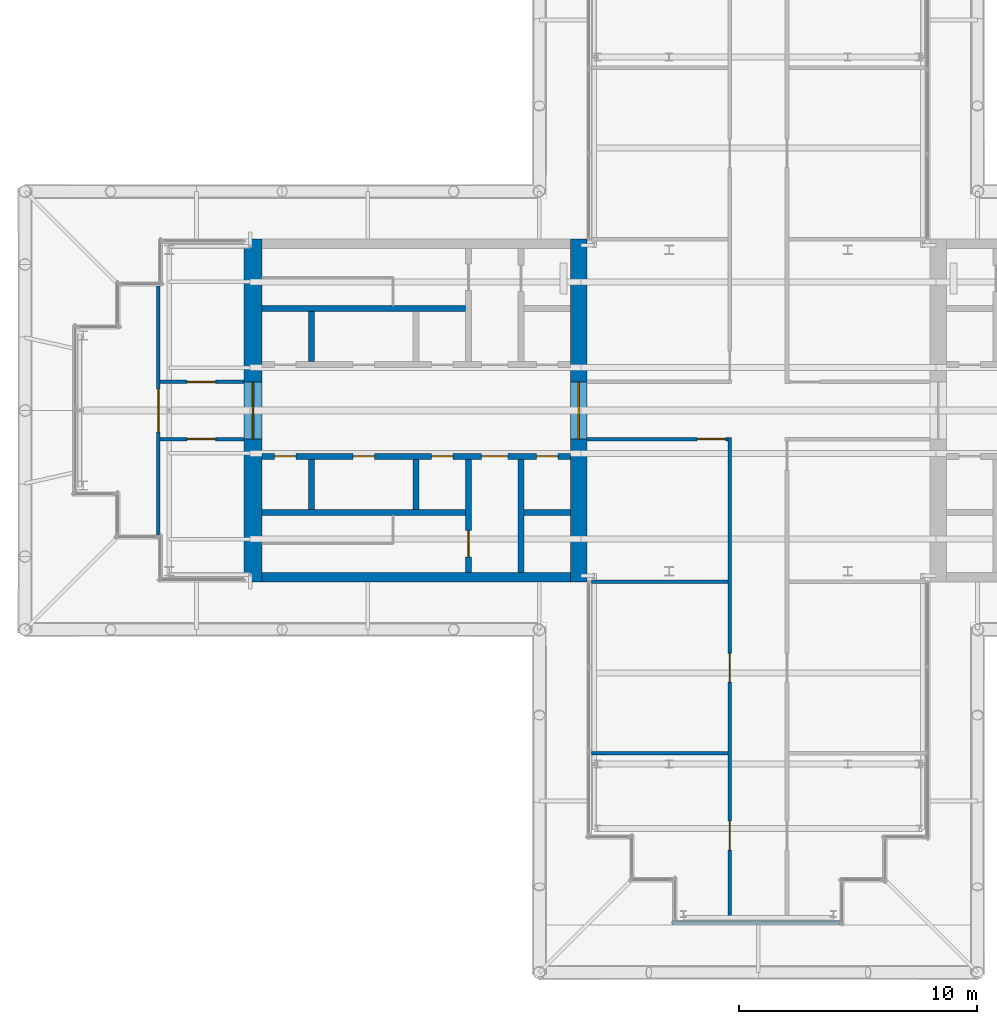
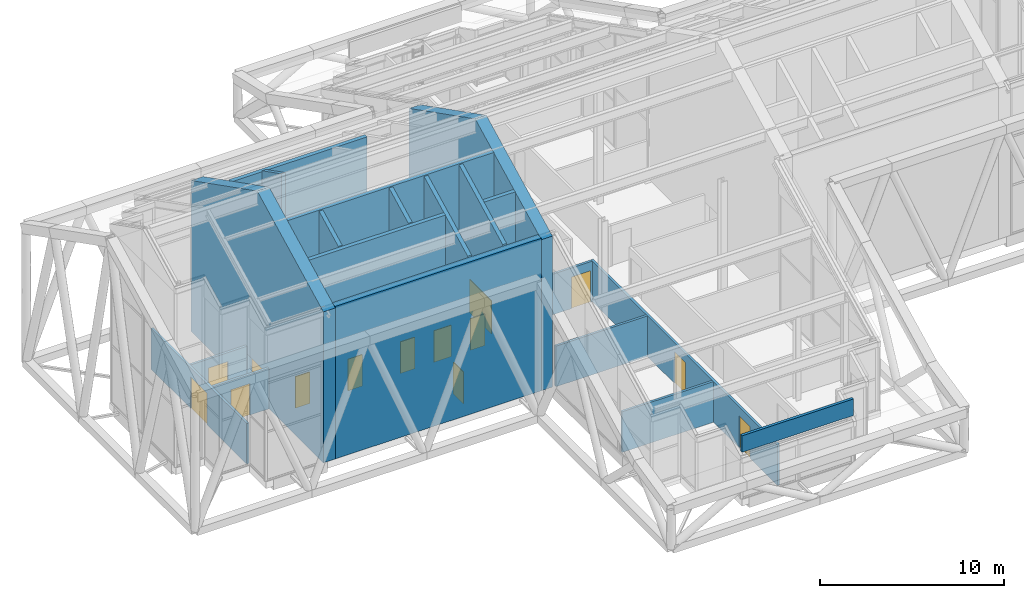
# One storey, part 20 of 25: 20 walls, 14 doors, 14 openings.
"""IFC4 building model written with IfcOpenShell, lengths in metres."""

from ifc_helpers import new_model, si_unit, direction, frame, frame_2d, origin, place, context, subcontext, project, spatial, polyline, rectangle, outline, extrude, material, layer, layer_set, type_object, element, fill, save


model = new_model("IFC4")

# Units and contexts
model_context = context("Model", 3, precision=1e-05, world=origin(), true_north=direction((0.0, 1.0)))
body_context = subcontext(model_context, "Body", "Model", "MODEL_VIEW")
ifc_project = project(units=[si_unit("LENGTHUNIT", "METRE"), si_unit("AREAUNIT", "SQUARE_METRE"), si_unit("VOLUMEUNIT", "CUBIC_METRE"), si_unit("PLANEANGLEUNIT", "RADIAN"), si_unit("MASSUNIT", "GRAM", prefix="KILO")], contexts=[model_context])

# Site, building, storey
site_placement = place(None, origin())
site = spatial("IfcSite", under=ifc_project, at=site_placement, CompositionType="ELEMENT")
building_placement = place(site_placement, origin())
building = spatial("IfcBuilding", under=site, at=building_placement, Name="Fustian Cross Tower", CompositionType="ELEMENT")
storey_placement = place(building_placement, frame((0.0, 0.0, 247.5)))
storey = spatial("IfcBuildingStorey", under=building, at=storey_placement, Name="L77", CompositionType="ELEMENT", Elevation=247.5)

# Wall, opening, door
ifc_material_1 = material(Name="Plasterboard on steel stud", Category="steel")
ifc_layer_1 = layer(ifc_material_1, 0.14990234375)
ifc_layer_set_1 = layer_set([ifc_layer_1], Name="Plasterboard on steel stud")
wall_type_1 = type_object("IfcWallType", Name="COMPARTMENT WALL 150 EI 60", PredefinedType="PARTITIONING", material=ifc_layer_set_1)
wall_1_placement = place(storey_placement, frame((-25.199951171875, -5.219970703125, 0.0), z_axis=(0.0, 0.0, 1.0), x_axis=(0.0, 1.0, 0.0)))
wall_1 = element("IfcWall", 1, at=wall_1_placement, inside=storey, type_object=wall_type_1, Name="Partition 1", PredefinedType="PARTITIONING", context=body_context, shape_type="SweptSolid", body=[
    extrude(rectangle(XDim=10.43994140625, YDim=0.14990234375, at=frame_2d((5.219970703125, 0.0))), origin(), (0.0, 0.0, 1.0), 2.699951171875),
])
opening_1_placement = place(wall_1_placement, frame((4.320068359375, 0.0, 0.0)))
opening_1 = element("IfcOpeningElement", 2, at=opening_1_placement, cuts=wall_1, Name="Opening D36016", PredefinedType="OPENING", context=body_context, shape_type="SweptSolid", body=[
    extrude(rectangle(XDim=1.800048828125, YDim=2.10009765625, at=frame_2d((0.89990234375, 1.050048828125))), frame((0.0, 0.0849609375, 0.0), z_axis=(0.0, -1.0, 0.0), x_axis=(1.0, 0.0, 0.0)), (0.0, 0.0, 1.0), 0.169921875),
])
ifc_material_2 = material(Name="Timber fire door set", Category="wood")
door_type_1 = type_object("IfcDoorType", Name="FIRE DOUBLE DOOR 1800 FD60S", OperationType="DOUBLE_DOOR_DOUBLE_SWING", PredefinedType="DOOR", material=ifc_material_2)
door_1_placement = place(opening_1_placement, frame((1.800048828125, 0.0, 0.0), z_axis=(0.0, 0.0, 1.0), x_axis=(-1.0, 0.0, 0.0)))
door_1 = element("IfcDoor", 3, at=door_1_placement, inside=storey, type_object=door_type_1, Name="Door D36016", OperationType="DOUBLE_DOOR_DOUBLE_SWING", OverallHeight=2.10009765625, OverallWidth=1.800048828125, PredefinedType="DOOR", context=body_context, shape_type="SweptSolid", body=[
    extrude(rectangle(XDim=1.800048828125, YDim=2.10009765625, at=frame_2d((0.89990234375, 1.050048828125))), frame((0.0, 0.02490234375, 0.0), z_axis=(0.0, -1.0, 0.0), x_axis=(1.0, 0.0, 0.0)), (0.0, 0.0, 1.0), 0.050048828125),
])
fill(opening_1, door_1)

wall_2_placement = place(storey_placement, frame((-25.125, -1.199951171875, 0.0), z_axis=(0.0, 0.0, 1.0), x_axis=(1.0, 0.0, 0.0)))
wall_2 = element("IfcWall", 4, at=wall_2_placement, inside=storey, type_object=wall_type_1, Name="Partition 2", PredefinedType="PARTITIONING", context=body_context, shape_type="SweptSolid", body=[
    extrude(rectangle(XDim=3.52490234375, YDim=0.14990234375, at=frame_2d((1.762451171875, 0.0))), origin(), (0.0, 0.0, 1.0), 2.699951171875),
])
opening_2_placement = place(wall_2_placement, frame((1.125, 0.0, 0.0)))
opening_2 = element("IfcOpeningElement", 5, at=opening_2_placement, cuts=wall_2, Name="Opening D36017", PredefinedType="OPENING", context=body_context, shape_type="SweptSolid", body=[
    extrude(rectangle(XDim=1.199951171875, YDim=2.10009765625, at=frame_2d((0.60009765625, 1.050048828125))), frame((0.0, 0.0849609375, 0.0), z_axis=(0.0, -1.0, 0.0), x_axis=(1.0, 0.0, 0.0)), (0.0, 0.0, 1.0), 0.169921875),
])
ifc_material_3 = material(Name="Timber fire door set", Category="wood")
door_type_2 = type_object("IfcDoorType", Name="FIRE SWING DOOR 1200 FD60S", OperationType="SINGLE_SWING_LEFT", PredefinedType="DOOR", material=ifc_material_3)
door_2_placement = place(opening_2_placement, origin())
door_2 = element("IfcDoor", 6, at=door_2_placement, inside=storey, type_object=door_type_2, Name="Door D36017", OperationType="SINGLE_SWING_LEFT", OverallHeight=2.10009765625, OverallWidth=1.199951171875, PredefinedType="DOOR", context=body_context, shape_type="SweptSolid", body=[
    extrude(rectangle(XDim=1.199951171875, YDim=2.10009765625, at=frame_2d((0.60009765625, 1.050048828125))), frame((0.0, 0.02490234375, 0.0), z_axis=(0.0, -1.0, 0.0), x_axis=(1.0, 0.0, 0.0)), (0.0, 0.0, 1.0), 0.050048828125),
])
fill(opening_2, door_2)

wall_3_placement = place(storey_placement, frame((-25.125, 1.199951171875, 0.0), z_axis=(0.0, 0.0, 1.0), x_axis=(1.0, 0.0, 0.0)))
wall_3 = element("IfcWall", 7, at=wall_3_placement, inside=storey, type_object=wall_type_1, Name="Partition 3", PredefinedType="PARTITIONING", context=body_context, shape_type="SweptSolid", body=[
    extrude(rectangle(XDim=3.52490234375, YDim=0.14990234375, at=frame_2d((1.762451171875, 0.0))), origin(), (0.0, 0.0, 1.0), 2.699951171875),
])
opening_3_placement = place(wall_3_placement, frame((1.125, 0.0, 0.0)))
opening_3 = element("IfcOpeningElement", 8, at=opening_3_placement, cuts=wall_3, Name="Opening D36018", PredefinedType="OPENING", context=body_context, shape_type="SweptSolid", body=[
    extrude(rectangle(XDim=1.199951171875, YDim=2.10009765625, at=frame_2d((0.60009765625, 1.050048828125))), frame((0.0, 0.0849609375, 0.0), z_axis=(0.0, -1.0, 0.0), x_axis=(1.0, 0.0, 0.0)), (0.0, 0.0, 1.0), 0.169921875),
])
door_3_placement = place(opening_3_placement, origin())
door_3 = element("IfcDoor", 9, at=door_3_placement, inside=storey, type_object=door_type_2, Name="Door D36018", OperationType="SINGLE_SWING_LEFT", OverallHeight=2.10009765625, OverallWidth=1.199951171875, PredefinedType="DOOR", context=body_context, shape_type="SweptSolid", body=[
    extrude(rectangle(XDim=1.199951171875, YDim=2.10009765625, at=frame_2d((0.60009765625, 1.050048828125))), frame((0.0, 0.02490234375, 0.0), z_axis=(0.0, -1.0, 0.0), x_axis=(1.0, 0.0, 0.0)), (0.0, 0.0, 1.0), 0.050048828125),
])
fill(opening_3, door_3)

wall_4_placement = place(storey_placement, frame((-7.199951171875, -1.199951171875, 0.0), z_axis=(0.0, 0.0, 1.0), x_axis=(1.0, 0.0, 0.0)))
wall_4 = element("IfcWall", 10, at=wall_4_placement, inside=storey, type_object=wall_type_1, Name="Partition 4", PredefinedType="PARTITIONING", context=body_context, shape_type="SweptSolid", body=[
    extrude(rectangle(XDim=5.925048828125, YDim=0.14990234375, at=frame_2d((2.96240234375, 0.0))), origin(), (0.0, 0.0, 1.0), 2.699951171875),
])
opening_4_placement = place(wall_4_placement, frame((4.625, 0.0, 0.0)))
opening_4 = element("IfcOpeningElement", 11, at=opening_4_placement, cuts=wall_4, Name="Opening D36003", PredefinedType="OPENING", context=body_context, shape_type="SweptSolid", body=[
    extrude(rectangle(XDim=1.199951171875, YDim=2.10009765625, at=frame_2d((0.60009765625, 1.050048828125))), frame((0.0, 0.0849609375, 0.0), z_axis=(0.0, -1.0, 0.0), x_axis=(1.0, 0.0, 0.0)), (0.0, 0.0, 1.0), 0.169921875),
])
door_4_placement = place(opening_4_placement, origin())
door_4 = element("IfcDoor", 12, at=door_4_placement, inside=storey, type_object=door_type_2, Name="Door D36003", OperationType="SINGLE_SWING_LEFT", OverallHeight=2.10009765625, OverallWidth=1.199951171875, PredefinedType="DOOR", context=body_context, shape_type="SweptSolid", body=[
    extrude(rectangle(XDim=1.199951171875, YDim=2.10009765625, at=frame_2d((0.60009765625, 1.050048828125))), frame((0.0, 0.02490234375, 0.0), z_axis=(0.0, -1.0, 0.0), x_axis=(1.0, 0.0, 0.0)), (0.0, 0.0, 1.0), 0.050048828125),
])
fill(opening_4, door_4)

# Walls
for number, where, z_axis, x_axis, name in (
    (13, (-7.02001953125, -14.39990234375, 0.0), (0.0, 0.0, 1.0), (1.0, 0.0, 0.0), "Partition 6"),
    (14, (-7.02001953125, -7.199951171875, 0.0), (0.0, 0.0, 1.0), (1.0, 0.0, 0.0), "Partition 7"),
):
    element("IfcWall", number, at=place(storey_placement, frame(where, z_axis=z_axis, x_axis=x_axis)), inside=storey, type_object=wall_type_1, Name=name, PredefinedType="PARTITIONING", context=body_context, shape_type="SweptSolid", body=[
        extrude(rectangle(XDim=5.7451171875, YDim=0.14990234375, at=frame_2d((2.87255859375, 0.0))), origin(), (0.0, 0.0, 1.0), 2.699951171875),
    ])

# Wall, openings, doors
wall_5_placement = place(storey_placement, frame((-1.199951171875, -21.419921875, 0.0), z_axis=(0.0, 0.0, 1.0), x_axis=(0.0, 1.0, 0.0)))
wall_5 = element("IfcWall", 15, at=wall_5_placement, inside=storey, type_object=wall_type_1, Name="Partition 10", PredefinedType="PARTITIONING", context=body_context, shape_type="SweptSolid", body=[
    extrude(rectangle(XDim=20.294921875, YDim=0.14990234375, at=frame_2d((10.1474609375, 0.0))), origin(), (0.0, 0.0, 1.0), 2.699951171875),
])
opening_5_placement = place(wall_5_placement, frame((10.02001953125, 0.0, 0.0)))
opening_5 = element("IfcOpeningElement", 16, at=opening_5_placement, cuts=wall_5, Name="Opening D36011", PredefinedType="OPENING", context=body_context, shape_type="SweptSolid", body=[
    extrude(rectangle(XDim=1.199951171875, YDim=2.10009765625, at=frame_2d((0.60009765625, 1.050048828125))), frame((0.0, 0.0849609375, 0.0), z_axis=(0.0, -1.0, 0.0), x_axis=(1.0, 0.0, 0.0)), (0.0, 0.0, 1.0), 0.169921875),
])
opening_6_placement = place(wall_5_placement, frame((2.969970703125, 0.0, 0.0)))
opening_6 = element("IfcOpeningElement", 17, at=opening_6_placement, cuts=wall_5, Name="Opening D36012", PredefinedType="OPENING", context=body_context, shape_type="SweptSolid", body=[
    extrude(rectangle(XDim=1.199951171875, YDim=2.10009765625, at=frame_2d((0.60009765625, 1.050048828125))), frame((0.0, 0.0849609375, 0.0), z_axis=(0.0, -1.0, 0.0), x_axis=(1.0, 0.0, 0.0)), (0.0, 0.0, 1.0), 0.169921875),
])
door_5_placement = place(opening_5_placement, origin())
door_5 = element("IfcDoor", 18, at=door_5_placement, inside=storey, type_object=door_type_2, Name="Door D36011", OperationType="SINGLE_SWING_LEFT", OverallHeight=2.10009765625, OverallWidth=1.199951171875, PredefinedType="DOOR", context=body_context, shape_type="SweptSolid", body=[
    extrude(rectangle(XDim=1.199951171875, YDim=2.10009765625, at=frame_2d((0.60009765625, 1.050048828125))), frame((0.0, 0.02490234375, 0.0), z_axis=(0.0, -1.0, 0.0), x_axis=(1.0, 0.0, 0.0)), (0.0, 0.0, 1.0), 0.050048828125),
])
fill(opening_5, door_5)
door_6_placement = place(opening_6_placement, origin())
door_6 = element("IfcDoor", 19, at=door_6_placement, inside=storey, type_object=door_type_2, Name="Door D36012", OperationType="SINGLE_SWING_LEFT", OverallHeight=2.10009765625, OverallWidth=1.199951171875, PredefinedType="DOOR", context=body_context, shape_type="SweptSolid", body=[
    extrude(rectangle(XDim=1.199951171875, YDim=2.10009765625, at=frame_2d((0.60009765625, 1.050048828125))), frame((0.0, 0.02490234375, 0.0), z_axis=(0.0, -1.0, 0.0), x_axis=(1.0, 0.0, 0.0)), (0.0, 0.0, 1.0), 0.050048828125),
])
fill(opening_6, door_6)

# Wall, opening, door
ifc_material_4 = material(Name="Concrete C50/60", Category="concrete")
ifc_layer_2 = layer(ifc_material_4, 0.699951171875)
ifc_layer_set_2 = layer_set([ifc_layer_2], Name="Concrete C50/60")
wall_type_2 = type_object("IfcWallType", Name="CORE END WALL 700 C50/60", PredefinedType="SHEAR", material=ifc_layer_set_2)
wall_6_placement = place(storey_placement, frame((-7.550048828125, -7.199951171875, 0.0), z_axis=(0.0, 0.0, 1.0), x_axis=(0.0, 1.0, 0.0)))
wall_6 = element("IfcWall", 20, at=wall_6_placement, inside=storey, type_object=wall_type_2, Name="Core end wall", PredefinedType="SHEAR", context=body_context, shape_type="SweptSolid", body=[
    extrude(outline(polyline([(0.0, 0.0), (14.39990234375, 0.0), (14.39990234375, 10.033447265625), (7.199951171875, 13.699951171875), (0.0, 10.033447265625), (0.0, 0.0)])), frame((0.0, 0.35009765625, 0.0), z_axis=(0.0, -1.0, 0.0), x_axis=(1.0, 0.0, 0.0)), (0.0, 0.0, 1.0), 0.699951171875),
])
opening_7_placement = place(wall_6_placement, frame((6.0, 0.0, 0.0)))
opening_7 = element("IfcOpeningElement", 21, at=opening_7_placement, cuts=wall_6, Name="Opening CD-32-23", PredefinedType="OPENING", context=body_context, shape_type="SweptSolid", body=[
    extrude(rectangle(XDim=2.39990234375, YDim=2.199951171875, at=frame_2d((1.199951171875, 1.10009765625))), frame((0.0, 0.35986328125, 0.0), z_axis=(0.0, -1.0, 0.0), x_axis=(1.0, 0.0, 0.0)), (0.0, 0.0, 1.0), 0.719970703125),
])
ifc_material_5 = material(Name="Steel", Category="steel")
door_type_3 = type_object("IfcDoorType", Name="FIRE DOOR FD30S DOUBLE 2400X2200", OperationType="DOUBLE_DOOR_DOUBLE_SWING", PredefinedType="DOOR", material=ifc_material_5)
door_7_placement = place(opening_7_placement, origin())
door_7 = element("IfcDoor", 22, at=door_7_placement, inside=storey, type_object=door_type_3, Name="Core door CD-32-23", OperationType="DOUBLE_DOOR_DOUBLE_SWING", OverallHeight=2.199951171875, OverallWidth=2.39990234375, PredefinedType="DOOR", context=body_context, shape_type="SweptSolid", body=[
    extrude(rectangle(XDim=2.39990234375, YDim=2.199951171875, at=frame_2d((1.199951171875, 1.10009765625))), frame((0.0, 0.02490234375, 0.0), z_axis=(0.0, -1.0, 0.0), x_axis=(1.0, 0.0, 0.0)), (0.0, 0.0, 1.0), 0.050048828125),
])
fill(opening_7, door_7)

ifc_material_6 = material(Name="Concrete C50/60", Category="concrete")
ifc_layer_3 = layer(ifc_material_6, 0.75)
ifc_layer_set_3 = layer_set([ifc_layer_3], Name="Concrete C50/60")
wall_type_3 = type_object("IfcWallType", Name="CORE END WALL 750 C50/60", PredefinedType="SHEAR", material=ifc_layer_set_3)
wall_7_placement = place(storey_placement, frame((-21.22509765625, -7.199951171875, 0.0), z_axis=(0.0, 0.0, 1.0), x_axis=(0.0, 1.0, 0.0)))
wall_7 = element("IfcWall", 23, at=wall_7_placement, inside=storey, type_object=wall_type_3, Name="Core end wall", PredefinedType="SHEAR", context=body_context, shape_type="SweptSolid", body=[
    extrude(outline(polyline([(0.0, 0.0), (14.39990234375, 0.0), (14.39990234375, 10.033447265625), (7.199951171875, 13.699951171875), (0.0, 10.033447265625), (0.0, 0.0)])), frame((0.0, 0.375, 0.0), z_axis=(0.0, -1.0, 0.0), x_axis=(1.0, 0.0, 0.0)), (0.0, 0.0, 1.0), 0.75),
])
opening_8_placement = place(wall_7_placement, frame((6.0, 0.0, 0.0)))
opening_8 = element("IfcOpeningElement", 24, at=opening_8_placement, cuts=wall_7, Name="Opening CD-32-24", PredefinedType="OPENING", context=body_context, shape_type="SweptSolid", body=[
    extrude(rectangle(XDim=2.39990234375, YDim=2.199951171875, at=frame_2d((1.199951171875, 1.10009765625))), frame((0.0, 0.385009765625, 0.0), z_axis=(0.0, -1.0, 0.0), x_axis=(1.0, 0.0, 0.0)), (0.0, 0.0, 1.0), 0.77001953125),
])
door_8_placement = place(opening_8_placement, frame((2.39990234375, 0.0, 0.0), z_axis=(0.0, 0.0, 1.0), x_axis=(-1.0, 0.0, 0.0)))
door_8 = element("IfcDoor", 25, at=door_8_placement, inside=storey, type_object=door_type_3, Name="Core door CD-32-24", OperationType="DOUBLE_DOOR_DOUBLE_SWING", OverallHeight=2.199951171875, OverallWidth=2.39990234375, PredefinedType="DOOR", context=body_context, shape_type="SweptSolid", body=[
    extrude(rectangle(XDim=2.39990234375, YDim=2.199951171875, at=frame_2d((1.199951171875, 1.10009765625))), frame((0.0, 0.02490234375, 0.0), z_axis=(0.0, -1.0, 0.0), x_axis=(1.0, 0.0, 0.0)), (0.0, 0.0, 1.0), 0.050048828125),
])
fill(opening_8, door_8)

# Wall
ifc_material_7 = material(Name="Concrete C50/60", Category="concrete")
ifc_layer_4 = layer(ifc_material_7, 0.39990234375)
ifc_layer_set_4 = layer_set([ifc_layer_4], Name="Concrete C50/60")
wall_type_4 = type_object("IfcWallType", Name="CORE FACADE WALL 400 C50/60", PredefinedType="SHEAR", material=ifc_layer_set_4)
wall_8_placement = place(storey_placement, frame((-7.89990234375, -7.0, 0.0), z_axis=(0.0, 0.0, 1.0), x_axis=(-1.0, 0.0, 0.0)))
element("IfcWall", 26, at=wall_8_placement, inside=storey, type_object=wall_type_4, Name="Core facade wall", PredefinedType="SHEAR", context=body_context, shape_type="SweptSolid", body=[
    extrude(rectangle(XDim=12.9501953125, YDim=0.39990234375, at=frame_2d((6.47509765625, 0.0))), origin(), (0.0, 0.0, 1.0), 10.13525390625),
])

# Wall, openings, doors
ifc_material_8 = material(Name="Concrete C50/60", Category="concrete")
ifc_layer_5 = layer(ifc_material_8, 0.25)
ifc_layer_set_5 = layer_set([ifc_layer_5], Name="Concrete C50/60")
wall_type_5 = type_object("IfcWallType", Name="CORE LOBBY WALL 250 C50/60", PredefinedType="SHEAR", material=ifc_layer_set_5)
wall_9_placement = place(storey_placement, frame((-7.89990234375, -1.925048828125, 0.0), z_axis=(0.0, 0.0, 1.0), x_axis=(-1.0, 0.0, 0.0)))
wall_9 = element("IfcWall", 27, at=wall_9_placement, inside=storey, type_object=wall_type_5, Name="Core lobby wall", PredefinedType="SHEAR", context=body_context, shape_type="SweptSolid", body=[
    extrude(rectangle(XDim=12.9501953125, YDim=0.25, at=frame_2d((6.47509765625, 0.0))), origin(), (0.0, 0.0, 1.0), 12.7197265625),
])
opening_9_placement = place(wall_9_placement, frame((0.52490234375, 0.0, 0.0)))
opening_9 = element("IfcOpeningElement", 28, at=opening_9_placement, cuts=wall_9, Name="Opening CD-32-20", PredefinedType="OPENING", context=body_context, shape_type="SweptSolid", body=[
    extrude(rectangle(XDim=0.89990234375, YDim=2.10009765625, at=frame_2d((0.449951171875, 1.050048828125))), frame((0.0, 0.135009765625, 0.0), z_axis=(0.0, -1.0, 0.0), x_axis=(1.0, 0.0, 0.0)), (0.0, 0.0, 1.0), 0.27001953125),
])
opening_10_placement = place(wall_9_placement, frame((2.625, 0.0, 0.0)))
opening_10 = element("IfcOpeningElement", 29, at=opening_10_placement, cuts=wall_9, Name="Opening CD-32-22", PredefinedType="OPENING", context=body_context, shape_type="SweptSolid", body=[
    extrude(rectangle(XDim=1.10009765625, YDim=2.10009765625, at=frame_2d((0.550048828125, 1.050048828125))), frame((0.0, 0.135009765625, 0.0), z_axis=(0.0, -1.0, 0.0), x_axis=(1.0, 0.0, 0.0)), (0.0, 0.0, 1.0), 0.27001953125),
])
opening_11_placement = place(wall_9_placement, frame((4.925048828125, 0.0, 0.0)))
opening_11 = element("IfcOpeningElement", 30, at=opening_11_placement, cuts=wall_9, Name="Opening CD-32-28", PredefinedType="OPENING", context=body_context, shape_type="SweptSolid", body=[
    extrude(rectangle(XDim=0.89990234375, YDim=2.10009765625, at=frame_2d((0.449951171875, 1.050048828125))), frame((0.0, 0.135009765625, 0.0), z_axis=(0.0, -1.0, 0.0), x_axis=(1.0, 0.0, 0.0)), (0.0, 0.0, 1.0), 0.27001953125),
])
opening_12_placement = place(wall_9_placement, frame((8.22509765625, 0.0, 0.0)))
opening_12 = element("IfcOpeningElement", 31, at=opening_12_placement, cuts=wall_9, Name="Opening CD-32-29", PredefinedType="OPENING", context=body_context, shape_type="SweptSolid", body=[
    extrude(rectangle(XDim=0.89990234375, YDim=2.10009765625, at=frame_2d((0.449951171875, 1.050048828125))), frame((0.0, 0.135009765625, 0.0), z_axis=(0.0, -1.0, 0.0), x_axis=(1.0, 0.0, 0.0)), (0.0, 0.0, 1.0), 0.27001953125),
])
opening_13_placement = place(wall_9_placement, frame((11.52490234375, 0.0, 0.0)))
opening_13 = element("IfcOpeningElement", 32, at=opening_13_placement, cuts=wall_9, Name="Opening CD-32-30", PredefinedType="OPENING", context=body_context, shape_type="SweptSolid", body=[
    extrude(rectangle(XDim=0.89990234375, YDim=2.10009765625, at=frame_2d((0.449951171875, 1.050048828125))), frame((0.0, 0.135009765625, 0.0), z_axis=(0.0, -1.0, 0.0), x_axis=(1.0, 0.0, 0.0)), (0.0, 0.0, 1.0), 0.27001953125),
])
ifc_material_9 = material(Name="Steel", Category="steel")
door_type_4 = type_object("IfcDoorType", Name="FIRE DOOR FD30S 1100X2100", OperationType="SINGLE_SWING_LEFT", PredefinedType="DOOR", material=ifc_material_9)
door_9_placement = place(opening_10_placement, frame((1.10009765625, 0.0, 0.0), z_axis=(0.0, 0.0, 1.0), x_axis=(-1.0, 0.0, 0.0)))
door_9 = element("IfcDoor", 33, at=door_9_placement, inside=storey, type_object=door_type_4, Name="Core door CD-32-22", OperationType="SINGLE_SWING_RIGHT", OverallHeight=2.10009765625, OverallWidth=1.10009765625, PredefinedType="DOOR", context=body_context, shape_type="SweptSolid", body=[
    extrude(rectangle(XDim=1.10009765625, YDim=2.10009765625, at=frame_2d((0.550048828125, 1.050048828125))), frame((0.0, 0.02490234375, 0.0), z_axis=(0.0, -1.0, 0.0), x_axis=(1.0, 0.0, 0.0)), (0.0, 0.0, 1.0), 0.050048828125),
])
fill(opening_10, door_9)
ifc_material_10 = material(Name="Steel", Category="steel")
door_type_5 = type_object("IfcDoorType", Name="FIRE DOOR FD30S 900X2100", OperationType="SINGLE_SWING_LEFT", PredefinedType="DOOR", material=ifc_material_10)
door_10_placement = place(opening_9_placement, origin())
door_10 = element("IfcDoor", 34, at=door_10_placement, inside=storey, type_object=door_type_5, Name="Core door CD-32-20", OperationType="SINGLE_SWING_LEFT", OverallHeight=2.10009765625, OverallWidth=0.89990234375, PredefinedType="DOOR", context=body_context, shape_type="SweptSolid", body=[
    extrude(rectangle(XDim=0.89990234375, YDim=2.10009765625, at=frame_2d((0.449951171875, 1.050048828125))), frame((0.0, 0.02490234375, 0.0), z_axis=(0.0, -1.0, 0.0), x_axis=(1.0, 0.0, 0.0)), (0.0, 0.0, 1.0), 0.050048828125),
])
fill(opening_9, door_10)
door_11_placement = place(opening_11_placement, origin())
door_11 = element("IfcDoor", 35, at=door_11_placement, inside=storey, type_object=door_type_5, Name="Core door CD-32-28", OperationType="SINGLE_SWING_LEFT", OverallHeight=2.10009765625, OverallWidth=0.89990234375, PredefinedType="DOOR", context=body_context, shape_type="SweptSolid", body=[
    extrude(rectangle(XDim=0.89990234375, YDim=2.10009765625, at=frame_2d((0.449951171875, 1.050048828125))), frame((0.0, 0.02490234375, 0.0), z_axis=(0.0, -1.0, 0.0), x_axis=(1.0, 0.0, 0.0)), (0.0, 0.0, 1.0), 0.050048828125),
])
fill(opening_11, door_11)
door_12_placement = place(opening_12_placement, origin())
door_12 = element("IfcDoor", 36, at=door_12_placement, inside=storey, type_object=door_type_5, Name="Core door CD-32-29", OperationType="SINGLE_SWING_RIGHT", OverallHeight=2.10009765625, OverallWidth=0.89990234375, PredefinedType="DOOR", context=body_context, shape_type="SweptSolid", body=[
    extrude(rectangle(XDim=0.89990234375, YDim=2.10009765625, at=frame_2d((0.449951171875, 1.050048828125))), frame((0.0, 0.02490234375, 0.0), z_axis=(0.0, -1.0, 0.0), x_axis=(1.0, 0.0, 0.0)), (0.0, 0.0, 1.0), 0.050048828125),
])
fill(opening_12, door_12)
door_13_placement = place(opening_13_placement, origin())
door_13 = element("IfcDoor", 37, at=door_13_placement, inside=storey, type_object=door_type_5, Name="Core door CD-32-30", OperationType="SINGLE_SWING_LEFT", OverallHeight=2.10009765625, OverallWidth=0.89990234375, PredefinedType="DOOR", context=body_context, shape_type="SweptSolid", body=[
    extrude(rectangle(XDim=0.89990234375, YDim=2.10009765625, at=frame_2d((0.449951171875, 1.050048828125))), frame((0.0, 0.02490234375, 0.0), z_axis=(0.0, -1.0, 0.0), x_axis=(1.0, 0.0, 0.0)), (0.0, 0.0, 1.0), 0.050048828125),
])
fill(opening_13, door_13)

# Walls
ifc_material_11 = material(Name="Concrete C50/60", Category="concrete")
ifc_layer_6 = layer(ifc_material_11, 0.25)
ifc_layer_set_6 = layer_set([ifc_layer_6], Name="Concrete C50/60")
wall_type_6 = type_object("IfcWallType", Name="CORE SHAFT WALL 250 C50/60", PredefinedType="SHEAR", material=ifc_layer_set_6)
wall_10_placement = place(storey_placement, frame((-12.300048828125, 4.27490234375, 0.0), z_axis=(0.0, 0.0, 1.0), x_axis=(-1.0, 0.0, 0.0)))
element("IfcWall", 38, at=wall_10_placement, inside=storey, type_object=wall_type_6, Name="Core shaft wall", PredefinedType="SHEAR", context=body_context, shape_type="SweptSolid", body=[
    extrude(rectangle(XDim=8.550048828125, YDim=0.25, at=frame_2d((4.27490234375, 0.0))), origin(), (0.0, 0.0, 1.0), 11.52294921875),
])
wall_11_placement = place(storey_placement, frame((-7.89990234375, -4.27490234375, 0.0), z_axis=(0.0, 0.0, 1.0), x_axis=(-1.0, 0.0, 0.0)))
element("IfcWall", 39, at=wall_11_placement, inside=storey, type_object=wall_type_6, Name="Core shaft wall", PredefinedType="SHEAR", context=body_context, shape_type="SweptSolid", body=[
    extrude(rectangle(XDim=1.9501953125, YDim=0.25, at=frame_2d((0.97509765625, 0.0))), origin(), (0.0, 0.0, 1.0), 11.52294921875),
])
wall_12_placement = place(storey_placement, frame((-12.300048828125, -4.27490234375, 0.0), z_axis=(0.0, 0.0, 1.0), x_axis=(-1.0, 0.0, 0.0)))
element("IfcWall", 40, at=wall_12_placement, inside=storey, type_object=wall_type_6, Name="Core shaft wall", PredefinedType="SHEAR", context=body_context, shape_type="SweptSolid", body=[
    extrude(rectangle(XDim=8.550048828125, YDim=0.25, at=frame_2d((4.27490234375, 0.0))), origin(), (0.0, 0.0, 1.0), 11.52294921875),
])
wall_13_placement = place(storey_placement, frame((-9.97509765625, -2.050048828125, 0.0), z_axis=(0.0, 0.0, 1.0), x_axis=(0.0, -1.0, 0.0)))
element("IfcWall", 41, at=wall_13_placement, inside=storey, type_object=wall_type_6, Name="Core shaft wall", PredefinedType="SHEAR", context=body_context, shape_type="SweptSolid", body=[
    extrude(outline(polyline([(0.0, 0.0), (4.75, 0.0), (4.75, 10.237060546875), (0.0, 12.656005859375), (0.0, 0.0)])), frame((0.0, 0.125, 0.0), z_axis=(0.0, -1.0, 0.0), x_axis=(1.0, 0.0, 0.0)), (0.0, 0.0, 1.0), 0.25),
])

# Wall, opening, door
wall_14_placement = place(storey_placement, frame((-12.175048828125, -2.050048828125, 0.0), z_axis=(0.0, 0.0, 1.0), x_axis=(0.0, -1.0, 0.0)))
wall_14 = element("IfcWall", 42, at=wall_14_placement, inside=storey, type_object=wall_type_6, Name="Core shaft wall", PredefinedType="SHEAR", context=body_context, shape_type="SweptSolid", body=[
    extrude(outline(polyline([(0.0, 0.0), (4.75, 0.0), (4.75, 10.237060546875), (0.0, 12.656005859375), (0.0, 0.0)])), frame((0.0, 0.125, 0.0), z_axis=(0.0, -1.0, 0.0), x_axis=(1.0, 0.0, 0.0)), (0.0, 0.0, 1.0), 0.25),
])
opening_14_placement = place(wall_14_placement, frame((3.0, 0.0, 0.0)))
opening_14 = element("IfcOpeningElement", 43, at=opening_14_placement, cuts=wall_14, Name="Opening CD-32-18", PredefinedType="OPENING", context=body_context, shape_type="SweptSolid", body=[
    extrude(rectangle(XDim=1.10009765625, YDim=2.10009765625, at=frame_2d((0.550048828125, 1.050048828125))), frame((0.0, 0.135009765625, 0.0), z_axis=(0.0, -1.0, 0.0), x_axis=(1.0, 0.0, 0.0)), (0.0, 0.0, 1.0), 0.27001953125),
])
ifc_material_12 = material(Name="Steel", Category="steel")
door_type_6 = type_object("IfcDoorType", Name="FIRE DOOR FD60S 1100X2100", OperationType="SINGLE_SWING_LEFT", PredefinedType="DOOR", material=ifc_material_12)
door_14_placement = place(opening_14_placement, frame((1.10009765625, 0.0, 0.0), z_axis=(0.0, 0.0, 1.0), x_axis=(-1.0, 0.0, 0.0)))
door_14 = element("IfcDoor", 44, at=door_14_placement, inside=storey, type_object=door_type_6, Name="Core door CD-32-18", OperationType="SINGLE_SWING_RIGHT", OverallHeight=2.10009765625, OverallWidth=1.10009765625, PredefinedType="DOOR", context=body_context, shape_type="SweptSolid", body=[
    extrude(rectangle(XDim=1.10009765625, YDim=2.10009765625, at=frame_2d((0.550048828125, 1.050048828125))), frame((0.0, 0.02490234375, 0.0), z_axis=(0.0, -1.0, 0.0), x_axis=(1.0, 0.0, 0.0)), (0.0, 0.0, 1.0), 0.050048828125),
])
fill(opening_14, door_14)

# Walls
ifc_material_13 = material(Name="Dark rainscreen cladding on blockwork", Category="masonry")
ifc_layer_7 = layer(ifc_material_13, 0.179931640625)
ifc_layer_set_7 = layer_set([ifc_layer_7], Name="Dark rainscreen cladding on blockwork")
wall_type_7 = type_object("IfcWallType", Name="CROWN PARAPET 180", PredefinedType="PARAPET", material=ifc_layer_set_7)
wall_15_placement = place(storey_placement, frame((-3.60009765625, -21.510009765625, 3.12744140625), z_axis=(0.0, 0.0, 1.0), x_axis=(1.0, 0.0, 0.0)))
element("IfcWall", 45, at=wall_15_placement, inside=storey, type_object=wall_type_7, Name="Crown parapet south eave", PredefinedType="PARAPET", context=body_context, shape_type="SweptSolid", body=[
    extrude(rectangle(XDim=7.02001953125, YDim=0.179931640625, at=frame_2d((3.510009765625, 0.0))), origin(), (0.0, 0.0, 1.0), 1.099853515625),
])
ifc_material_14 = material(Name="Concrete C40/50", Category="concrete")
ifc_layer_8 = layer(ifc_material_14, 0.25)
ifc_layer_set_8 = layer_set([ifc_layer_8], Name="Concrete C40/50")
wall_type_8 = type_object("IfcWallType", Name="SHAFT PARTITION WALL 250 C40/50", PredefinedType="PARTITIONING", material=ifc_layer_set_8)
for number, where, z_axis, x_axis, name in (
    (46, (-18.77490234375, 2.050048828125, 0.0), (0.0, 0.0, 1.0), (0.0, 1.0, 0.0), "Core shaft wall"),
    (47, (-14.375, -2.050048828125, 0.0), (0.0, 0.0, 1.0), (0.0, -1.0, 0.0), "Core shaft wall"),
    (48, (-18.77490234375, -2.050048828125, 0.0), (0.0, 0.0, 1.0), (0.0, -1.0, 0.0), "Core shaft wall"),
):
    element("IfcWall", number, at=place(storey_placement, frame(where, z_axis=z_axis, x_axis=x_axis)), inside=storey, type_object=wall_type_8, Name=name, PredefinedType="PARTITIONING", context=body_context, shape_type="SweptSolid", body=[
        extrude(outline(polyline([(0.0, 0.0), (2.099853515625, 0.0), (2.10009765625, 11.586669921875), (0.0, 12.656005859375), (0.0, 0.0)])), frame((0.0, 0.125, 0.0), z_axis=(0.0, -1.0, 0.0), x_axis=(1.0, 0.0, 0.0)), (0.0, 0.0, 1.0), 0.25),
    ])

save(model, "model.ifc")
